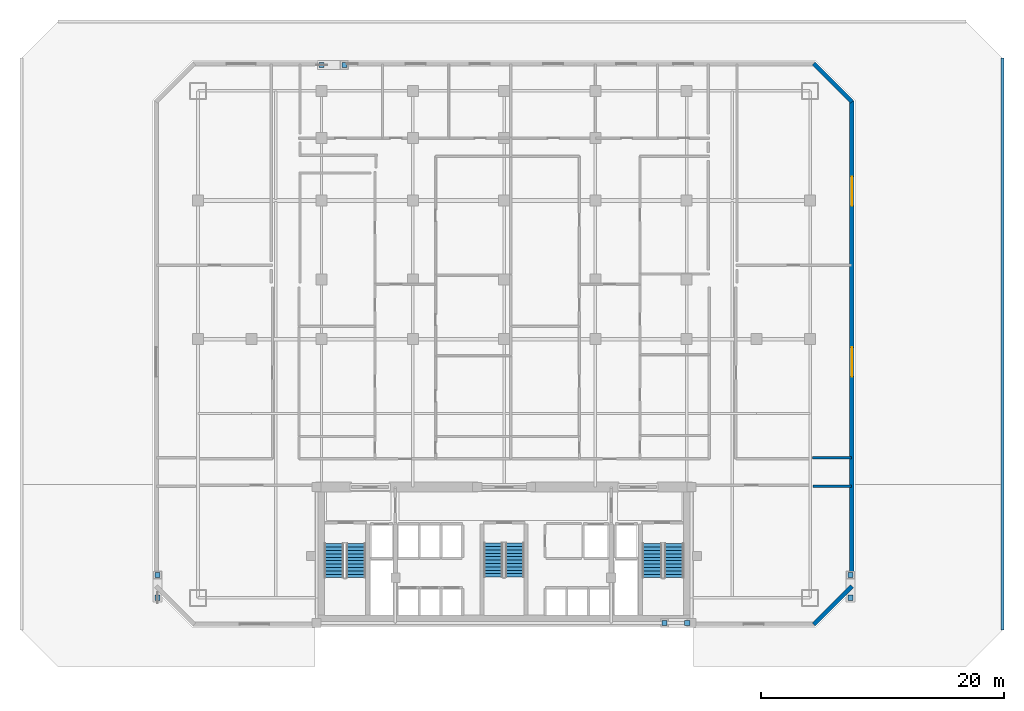
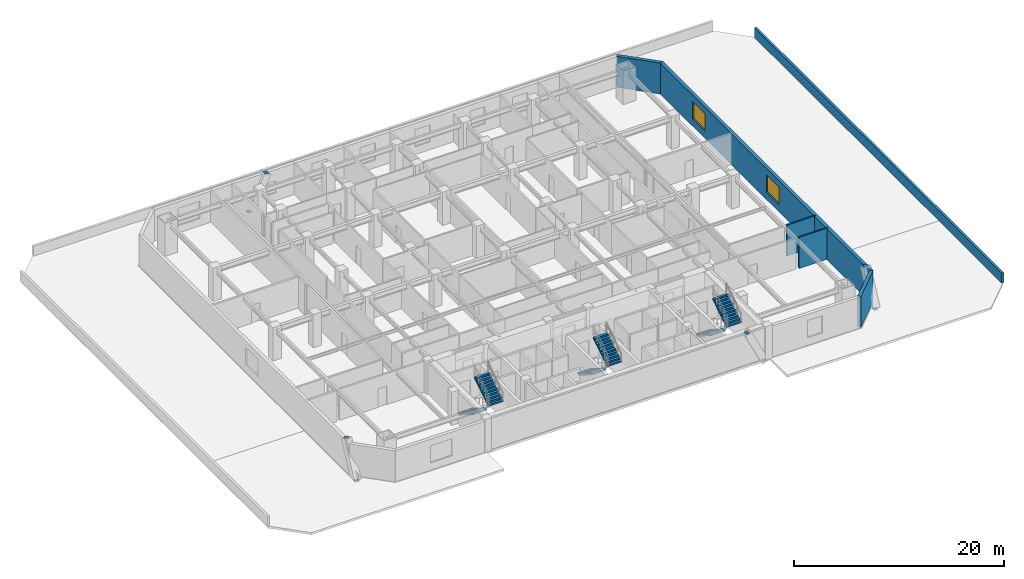
# One storey, part 10 of 11: 8 discrete accessories, 6 stair flights, 6 walls, 2 windows, 2 openings, 3 elements without a shape of their own.
"""IFC4 building model written with IfcOpenShell, lengths in metres."""

from ifc_helpers import new_model, si_unit, direction, frame, frame_2d, origin, origin_2d, place, context, subcontext, project, spatial, polyline, rectangle, outline, extrude, material, layer, layer_set, type_object, element, fill, aggregate, save


model = new_model("IFC4")

# Units and contexts
model_context = context("Model", 3, precision=1e-05, world=origin(), true_north=direction((0.0, 1.0)))
body_context = subcontext(model_context, "Body", "Model", "MODEL_VIEW")
ifc_project = project(units=[si_unit("LENGTHUNIT", "METRE"), si_unit("AREAUNIT", "SQUARE_METRE"), si_unit("VOLUMEUNIT", "CUBIC_METRE"), si_unit("PLANEANGLEUNIT", "RADIAN"), si_unit("MASSUNIT", "GRAM", prefix="KILO")], contexts=[model_context])

# Site, building, storey
site_placement = place(None, origin())
site = spatial("IfcSite", under=ifc_project, at=site_placement, CompositionType="ELEMENT")
building_placement = place(site_placement, origin())
building = spatial("IfcBuilding", under=site, at=building_placement, Name="Ventersveld Concourse Tower", CompositionType="ELEMENT")
storey_placement = place(building_placement, frame((0.0, 0.0, 29.800048828125)))
storey = spatial("IfcBuildingStorey", under=building, at=storey_placement, Name="L06", CompositionType="ELEMENT", Elevation=29.800048828125)

# Walls
ifc_material_1 = material(Name="Fire-rated autoclaved aerated masonry blockwork", Category="masonry")
ifc_layer_1 = layer(ifc_material_1, 0.179931640625)
ifc_layer_set_1 = layer_set([ifc_layer_1], Name="Fire-rated autoclaved aerated masonry blockwork")
wall_type_1 = type_object("IfcWallType", Name="WL-CORR-180", PredefinedType="PARTITIONING", material=ifc_layer_set_1)
wall_1_placement = place(storey_placement, frame((54.1123046875, 11.52001953125, 0.0), z_axis=(0.0, 0.0, 1.0), x_axis=(1.0, 0.0, 0.0)))
element("IfcWall", 1, at=wall_1_placement, inside=storey, type_object=wall_type_1, Name="L06 Room Enclosure Wall SP-L06-SE-OFF", PredefinedType="PARTITIONING", context=body_context, shape_type="SweptSolid", body=[
    extrude(rectangle(XDim=3.177734375, YDim=0.179931640625, at=frame_2d((1.5888671875, 0.0))), origin(), (0.0, 0.0, 1.0), 3.599853515625),
])
wall_2_placement = place(storey_placement, frame((57.2900390625, 13.860107421875, 0.0), z_axis=(0.0, 0.0, 1.0), x_axis=(-1.0, 0.0, 0.0)))
element("IfcWall", 2, at=wall_2_placement, inside=storey, type_object=wall_type_1, Name="L06 Room Enclosure Wall SP-L06-NELNG1", PredefinedType="PARTITIONING", context=body_context, shape_type="SweptSolid", body=[
    extrude(rectangle(XDim=3.18017578125, YDim=0.179931640625, at=frame_2d((1.590087890625, 0.0))), origin(), (0.0, 0.0, 1.0), 3.599853515625),
])
ifc_material_2 = material(Name="Precast concrete C45/55", Category="concrete")
ifc_layer_2 = layer(ifc_material_2, 0.25)
ifc_layer_set_2 = layer_set([ifc_layer_2], Name="Precast concrete C45/55")
wall_type_2 = type_object("IfcWallType", Name="WL-PARA-250", PredefinedType="PARAPET", material=ifc_layer_set_2)
wall_3_placement = place(storey_placement, frame((69.699951171875, -0.300048828125, 0.0), z_axis=(0.0, 0.0, 1.0), x_axis=(0.0, 1.0, 0.0)))
element("IfcWall", 3, at=wall_3_placement, inside=storey, type_object=wall_type_2, Name="L06 Setback Roof Parapet Wall 2", PredefinedType="PARAPET", context=body_context, shape_type="SweptSolid", body=[
    extrude(rectangle(XDim=47.0, YDim=0.25, at=frame_2d((23.5, 0.0))), origin(), (0.0, 0.0, 1.0), 1.14990234375),
])
ifc_layer_3 = layer(ifc_material_2, 0.35009765625)
ifc_layer_set_3 = layer_set([ifc_layer_3], Name="Precast concrete C45/55")
wall_type_3 = type_object("IfcWallType", Name="WL-PREC-350", PredefinedType="SOLIDWALL", material=ifc_layer_set_3)
wall_4_placement = place(storey_placement, frame((54.20458984375, 0.152099609375, 0.0), z_axis=(0.0, 0.0, 1.0), x_axis=(0.707106781187, 0.707106781187, 0.0)))
element("IfcWall", 4, at=wall_4_placement, inside=storey, type_object=wall_type_3, Name="L06 Highveld Precast Facade Wall E02", PredefinedType="SOLIDWALL", context=body_context, shape_type="SweptSolid", body=[
    extrude(rectangle(XDim=4.4453125, YDim=0.35009765625, at=frame_2d((2.22265625, 0.0))), origin(), (0.0, 0.0, 1.0), 3.599853515625),
])

# Wall, openings, windows
wall_5_placement = place(storey_placement, frame((57.324951171875, 3.239990234375, 0.0), z_axis=(0.0, 0.0, 1.0), x_axis=(0.0, 1.0, 0.0)))
wall_5 = element("IfcWall", 5, at=wall_5_placement, inside=storey, type_object=wall_type_3, Name="L06 Highveld Precast Facade Wall E03", PredefinedType="SOLIDWALL", context=body_context, shape_type="SweptSolid", body=[
    extrude(rectangle(XDim=39.919921875, YDim=0.35009765625, at=frame_2d((19.9599609375, 0.0))), origin(), (0.0, 0.0, 1.0), 3.599853515625),
])
opening_1_placement = place(wall_5_placement, frame((17.280029296875, 0.0, 0.85009765625)))
opening_1 = element("IfcOpeningElement", 6, at=opening_1_placement, cuts=wall_5, Name="Opening W5", PredefinedType="OPENING", context=body_context, shape_type="SweptSolid", body=[
    extrude(rectangle(XDim=2.39990234375, YDim=2.0, at=frame_2d((1.199951171875, 1.0))), frame((0.0, 0.18505859375, 0.0), z_axis=(0.0, -1.0, 0.0), x_axis=(1.0, 0.0, 0.0)), (0.0, 0.0, 1.0), 0.3701171875),
])
opening_2_placement = place(wall_5_placement, frame((31.3076171875, 0.0, 0.85009765625)))
opening_2 = element("IfcOpeningElement", 7, at=opening_2_placement, cuts=wall_5, Name="Opening W5", PredefinedType="OPENING", context=body_context, shape_type="SweptSolid", body=[
    extrude(rectangle(XDim=2.39990234375, YDim=2.0, at=frame_2d((1.199951171875, 1.0))), frame((0.0, 0.18505859375, 0.0), z_axis=(0.0, -1.0, 0.0), x_axis=(1.0, 0.0, 0.0)), (0.0, 0.0, 1.0), 0.3701171875),
])
ifc_material_3 = material(Name="Tempered acoustic Low-E IGU", Category="glass")
window_type = type_object("IfcWindowType", Name="WIN-240x210", PartitioningType="SINGLE_PANEL", PredefinedType="WINDOW", material=ifc_material_3)
window_1_placement = place(opening_1_placement, origin())
window_1 = element("IfcWindow", 8, at=window_1_placement, inside=storey, type_object=window_type, Name="L06 Punched Low-E Window W-0005", OverallHeight=2.0, OverallWidth=2.39990234375, PartitioningType="SINGLE_PANEL", PredefinedType="WINDOW", context=body_context, shape_type="SweptSolid", body=[
    extrude(rectangle(XDim=2.39990234375, YDim=2.0, at=frame_2d((1.199951171875, 1.0))), frame((0.0, 0.030029296875, 0.0), z_axis=(0.0, -1.0, 0.0), x_axis=(1.0, 0.0, 0.0)), (0.0, 0.0, 1.0), 0.06005859375),
])
fill(opening_1, window_1)
window_2_placement = place(opening_2_placement, origin())
window_2 = element("IfcWindow", 9, at=window_2_placement, inside=storey, type_object=window_type, Name="L06 Punched Low-E Window W-0006", OverallHeight=2.0, OverallWidth=2.39990234375, PartitioningType="SINGLE_PANEL", PredefinedType="WINDOW", context=body_context, shape_type="SweptSolid", body=[
    extrude(rectangle(XDim=2.39990234375, YDim=2.0, at=frame_2d((1.199951171875, 1.0))), frame((0.0, 0.030029296875, 0.0), z_axis=(0.0, -1.0, 0.0), x_axis=(1.0, 0.0, 0.0)), (0.0, 0.0, 1.0), 0.06005859375),
])
fill(opening_2, window_2)

# Wall
wall_6_placement = place(storey_placement, frame((57.347900390625, 43.1044921875, 0.0), z_axis=(0.0, 0.0, 1.0), x_axis=(-0.707079321262, 0.707134240044, 0.0)))
element("IfcWall", 10, at=wall_6_placement, inside=storey, type_object=wall_type_3, Name="L06 Highveld Precast Facade Wall E04", PredefinedType="SOLIDWALL", context=body_context, shape_type="SweptSolid", body=[
    extrude(rectangle(XDim=4.445556640625, YDim=0.35009765625, at=frame_2d((2.22265625, 0.0))), origin(), (0.0, 0.0, 1.0), 3.599853515625),
])

# Stair, stair flights
ifc_material_4 = material(Name="Concrete C50/60", Category="concrete")
stair_type_1 = type_object("IfcStairType", Name="ST-DOG-155", PredefinedType="HALF_TURN_STAIR", material=ifc_material_4)
stair_1_placement = place(storey_placement, origin())
stair_1 = element("IfcStair", 11, at=stair_1_placement, inside=storey, type_object=stair_type_1, Name="L06 Protected Central Core Escape Stair ST-03", PredefinedType="HALF_TURN_STAIR")
stair_flight_type_1 = type_object("IfcStairFlightType", Name="STF-RC-155", PredefinedType="STRAIGHT", material=ifc_material_4)
stair_flight_1_placement = place(storey_placement, frame((27.875, 6.85009765625, 0.0), z_axis=(0.0, 0.0, 1.0), x_axis=(0.0, -1.0, 0.0)))
stair_flight_1 = element("IfcStairFlight", 12, at=stair_flight_1_placement, type_object=stair_flight_type_1, Name="ST-03 flight 1", NumberOfRisers=11, NumberOfTreads=10, PredefinedType="STRAIGHT", RiserHeight=0.175, TreadLength=0.28, context=body_context, shape_type="SweptSolid", body=[
    extrude(outline(polyline([(0.0, 0.0), (0.0, 0.175048828125), (0.280029296875, 0.175048828125), (0.280029296875, 0.35009765625), (0.56005859375, 0.35009765625), (0.56005859375, 0.52490234375), (0.840087890625, 0.52490234375), (0.840087890625, 0.699951171875), (1.1201171875, 0.699951171875), (1.1201171875, 0.875), (1.39990234375, 0.875), (1.39990234375, 1.050048828125), (1.679931640625, 1.050048828125), (1.679931640625, 1.22509765625), (1.9599609375, 1.22509765625), (1.9599609375, 1.39990234375), (2.239990234375, 1.39990234375), (2.239990234375, 1.574951171875), (2.52001953125, 1.574951171875), (2.52001953125, 1.75), (2.800048828125, 1.75), (2.800048828125, 1.925048828125), (2.800048828125, 1.5732421875), (0.28271484375, 0.0), (0.0, 0.0)])), frame((0.0, 0.77490234375, 0.0), z_axis=(0.0, -1.0, 0.0), x_axis=(1.0, 0.0, 0.0)), (0.0, 0.0, 1.0), 1.550048828125),
])
stair_flight_2_placement = place(storey_placement, frame((29.625, 4.050048828125, 1.925048828125), z_axis=(0.0, 0.0, 1.0), x_axis=(0.0, 1.0, 0.0)))
stair_flight_2 = element("IfcStairFlight", 13, at=stair_flight_2_placement, type_object=stair_flight_type_1, Name="ST-03 flight 2", NumberOfRisers=11, NumberOfTreads=10, PredefinedType="STRAIGHT", RiserHeight=0.175, TreadLength=0.28, context=body_context, shape_type="SweptSolid", body=[
    extrude(outline(polyline([(0.0, 0.0), (0.0, 0.175048828125), (0.280029296875, 0.175048828125), (0.280029296875, 0.35009765625), (0.56005859375, 0.35009765625), (0.56005859375, 0.52490234375), (0.840087890625, 0.52490234375), (0.840087890625, 0.699951171875), (1.1201171875, 0.699951171875), (1.1201171875, 0.875), (1.39990234375, 0.875), (1.39990234375, 1.050048828125), (1.679931640625, 1.050048828125), (1.679931640625, 1.22509765625), (1.9599609375, 1.22509765625), (1.9599609375, 1.39990234375), (2.239990234375, 1.39990234375), (2.239990234375, 1.574951171875), (2.52001953125, 1.574951171875), (2.52001953125, 1.75), (2.800048828125, 1.75), (2.800048828125, 1.925048828125), (2.800048828125, 1.5732421875), (0.28271484375, 0.0), (0.0, 0.0)])), frame((0.0, 0.77490234375, 0.0), z_axis=(0.0, -1.0, 0.0), x_axis=(1.0, 0.0, 0.0)), (0.0, 0.0, 1.0), 1.550048828125),
])
aggregate(stair_1, [stair_flight_1, stair_flight_2])

stair_type_2 = type_object("IfcStairType", Name="ST-DOG-160", PredefinedType="HALF_TURN_STAIR", material=ifc_material_4)
stair_2_placement = place(storey_placement, origin())
stair_2 = element("IfcStair", 14, at=stair_2_placement, inside=storey, type_object=stair_type_2, Name="L06 Protected Tower Escape Stair ST-01", PredefinedType="HALF_TURN_STAIR")
stair_flight_type_2 = type_object("IfcStairFlightType", Name="STF-RC-160", PredefinedType="STRAIGHT", material=ifc_material_4)
stair_flight_3_placement = place(storey_placement, frame((14.780029296875, 6.800048828125, 0.0), z_axis=(0.0, 0.0, 1.0), x_axis=(0.0, -1.0, 0.0)))
stair_flight_3 = element("IfcStairFlight", 15, at=stair_flight_3_placement, type_object=stair_flight_type_2, Name="ST-01 flight 1", NumberOfRisers=11, NumberOfTreads=10, PredefinedType="STRAIGHT", RiserHeight=0.175, TreadLength=0.28, context=body_context, shape_type="SweptSolid", body=[
    extrude(outline(polyline([(0.0, 0.0), (0.0, 0.175048828125), (0.280029296875, 0.175048828125), (0.280029296875, 0.35009765625), (0.56005859375, 0.35009765625), (0.56005859375, 0.52490234375), (0.840087890625, 0.52490234375), (0.840087890625, 0.699951171875), (1.1201171875, 0.699951171875), (1.1201171875, 0.875), (1.39990234375, 0.875), (1.39990234375, 1.050048828125), (1.679931640625, 1.050048828125), (1.679931640625, 1.22509765625), (1.9599609375, 1.22509765625), (1.9599609375, 1.39990234375), (2.239990234375, 1.39990234375), (2.239990234375, 1.574951171875), (2.52001953125, 1.574951171875), (2.52001953125, 1.75), (2.800048828125, 1.75), (2.800048828125, 1.925048828125), (2.800048828125, 1.5732421875), (0.28271484375, 0.0), (0.0, 0.0)])), frame((0.0, 0.800048828125, 0.0), z_axis=(0.0, -1.0, 0.0), x_axis=(1.0, 0.0, 0.0)), (0.0, 0.0, 1.0), 1.60009765625),
])
stair_flight_4_placement = place(storey_placement, frame((16.580078125, 4.0, 1.925048828125), z_axis=(0.0, 0.0, 1.0), x_axis=(0.0, 1.0, 0.0)))
stair_flight_4 = element("IfcStairFlight", 16, at=stair_flight_4_placement, type_object=stair_flight_type_2, Name="ST-01 flight 2", NumberOfRisers=11, NumberOfTreads=10, PredefinedType="STRAIGHT", RiserHeight=0.175, TreadLength=0.28, context=body_context, shape_type="SweptSolid", body=[
    extrude(outline(polyline([(0.0, 0.0), (0.0, 0.175048828125), (0.280029296875, 0.175048828125), (0.280029296875, 0.35009765625), (0.56005859375, 0.35009765625), (0.56005859375, 0.52490234375), (0.840087890625, 0.52490234375), (0.840087890625, 0.699951171875), (1.1201171875, 0.699951171875), (1.1201171875, 0.875), (1.39990234375, 0.875), (1.39990234375, 1.050048828125), (1.679931640625, 1.050048828125), (1.679931640625, 1.22509765625), (1.9599609375, 1.22509765625), (1.9599609375, 1.39990234375), (2.239990234375, 1.39990234375), (2.239990234375, 1.574951171875), (2.52001953125, 1.574951171875), (2.52001953125, 1.75), (2.800048828125, 1.75), (2.800048828125, 1.925048828125), (2.800048828125, 1.5732421875), (0.28271484375, 0.0), (0.0, 0.0)])), frame((0.0, 0.800048828125, 0.0), z_axis=(0.0, -1.0, 0.0), x_axis=(1.0, 0.0, 0.0)), (0.0, 0.0, 1.0), 1.60009765625),
])
aggregate(stair_2, [stair_flight_3, stair_flight_4])

stair_3_placement = place(storey_placement, origin())
stair_3 = element("IfcStair", 17, at=stair_3_placement, inside=storey, type_object=stair_type_2, Name="L06 Protected Tower Escape Stair ST-02", PredefinedType="HALF_TURN_STAIR")
stair_flight_5_placement = place(storey_placement, frame((40.919921875, 6.800048828125, 0.0), z_axis=(0.0, 0.0, 1.0), x_axis=(0.0, -1.0, 0.0)))
stair_flight_5 = element("IfcStairFlight", 18, at=stair_flight_5_placement, type_object=stair_flight_type_2, Name="ST-02 flight 1", NumberOfRisers=11, NumberOfTreads=10, PredefinedType="STRAIGHT", RiserHeight=0.175, TreadLength=0.28, context=body_context, shape_type="SweptSolid", body=[
    extrude(outline(polyline([(0.0, 0.0), (0.0, 0.175048828125), (0.280029296875, 0.175048828125), (0.280029296875, 0.35009765625), (0.56005859375, 0.35009765625), (0.56005859375, 0.52490234375), (0.840087890625, 0.52490234375), (0.840087890625, 0.699951171875), (1.1201171875, 0.699951171875), (1.1201171875, 0.875), (1.39990234375, 0.875), (1.39990234375, 1.050048828125), (1.679931640625, 1.050048828125), (1.679931640625, 1.22509765625), (1.9599609375, 1.22509765625), (1.9599609375, 1.39990234375), (2.239990234375, 1.39990234375), (2.239990234375, 1.574951171875), (2.52001953125, 1.574951171875), (2.52001953125, 1.75), (2.800048828125, 1.75), (2.800048828125, 1.925048828125), (2.800048828125, 1.5732421875), (0.28271484375, 0.0), (0.0, 0.0)])), frame((0.0, 0.800048828125, 0.0), z_axis=(0.0, -1.0, 0.0), x_axis=(1.0, 0.0, 0.0)), (0.0, 0.0, 1.0), 1.60009765625),
])
stair_flight_6_placement = place(storey_placement, frame((42.719970703125, 4.0, 1.925048828125), z_axis=(0.0, 0.0, 1.0), x_axis=(0.0, 1.0, 0.0)))
stair_flight_6 = element("IfcStairFlight", 19, at=stair_flight_6_placement, type_object=stair_flight_type_2, Name="ST-02 flight 2", NumberOfRisers=11, NumberOfTreads=10, PredefinedType="STRAIGHT", RiserHeight=0.175, TreadLength=0.28, context=body_context, shape_type="SweptSolid", body=[
    extrude(outline(polyline([(0.0, 0.0), (0.0, 0.175048828125), (0.280029296875, 0.175048828125), (0.280029296875, 0.35009765625), (0.56005859375, 0.35009765625), (0.56005859375, 0.52490234375), (0.840087890625, 0.52490234375), (0.840087890625, 0.699951171875), (1.1201171875, 0.699951171875), (1.1201171875, 0.875), (1.39990234375, 0.875), (1.39990234375, 1.050048828125), (1.679931640625, 1.050048828125), (1.679931640625, 1.22509765625), (1.9599609375, 1.22509765625), (1.9599609375, 1.39990234375), (2.239990234375, 1.39990234375), (2.239990234375, 1.574951171875), (2.52001953125, 1.574951171875), (2.52001953125, 1.75), (2.800048828125, 1.75), (2.800048828125, 1.925048828125), (2.800048828125, 1.5732421875), (0.28271484375, 0.0), (0.0, 0.0)])), frame((0.0, 0.800048828125, 0.0), z_axis=(0.0, -1.0, 0.0), x_axis=(1.0, 0.0, 0.0)), (0.0, 0.0, 1.0), 1.60009765625),
])
aggregate(stair_3, [stair_flight_5, stair_flight_6])

# Discrete accessories
ifc_material_5 = material(Name="Structural steel S355J2", Category="steel")
discrete_accessory_type = type_object("IfcDiscreteAccessoryType", Name="CONN-BRACE-ECP1", PredefinedType="BRACKET", material=ifc_material_5)
for number, where, z_axis, x_axis, name in (
    (20, (13.75, 46.1201171875, -0.27001953125), (0.0, 0.0, 1.0), (1.0, 0.0, 0.0), "L06 Steel Brace End Connection Plate ECP1-0197"),
    (21, (15.625, 46.1201171875, 3.579833984375), (0.0, 0.0, 1.0), (1.0, 0.0, 0.0), "L06 Steel Brace End Connection Plate ECP1-0198"),
    (22, (43.800048828125, 0.280029296875, -0.27001953125), (0.0, 0.0, 1.0), (1.0, 0.0, 0.0), "L06 Steel Brace End Connection Plate ECP1-0202"),
    (23, (41.925048828125, 0.280029296875, 3.579833984375), (0.0, 0.0, 1.0), (1.0, 0.0, 0.0), "L06 Steel Brace End Connection Plate ECP1-0203"),
    (24, (0.280029296875, 2.35009765625, -0.27001953125), (0.0, 0.0, 1.0), (1.0, 0.0, 0.0), "L06 Steel Brace End Connection Plate ECP1-0207"),
    (25, (0.280029296875, 4.22509765625, 3.579833984375), (0.0, 0.0, 1.0), (1.0, 0.0, 0.0), "L06 Steel Brace End Connection Plate ECP1-0208"),
    (26, (57.219970703125, 2.35009765625, -0.27001953125), (0.0, 0.0, 1.0), (1.0, 0.0, 0.0), "L06 Steel Brace End Connection Plate ECP1-0212"),
    (27, (57.219970703125, 4.22509765625, 3.579833984375), (0.0, 0.0, 1.0), (1.0, 0.0, 0.0), "L06 Steel Brace End Connection Plate ECP1-0213"),
):
    element("IfcDiscreteAccessory", number, at=place(storey_placement, frame(where, z_axis=z_axis, x_axis=x_axis)), inside=storey, type_object=discrete_accessory_type, Name=name, PredefinedType="BRACKET", context=body_context, shape_type="SweptSolid", body=[
        extrude(rectangle(XDim=0.419921875, YDim=0.419921875, at=origin_2d()), origin(), (0.0, 0.0, 1.0), 0.0400390625),
    ])

save(model, "model.ifc")
